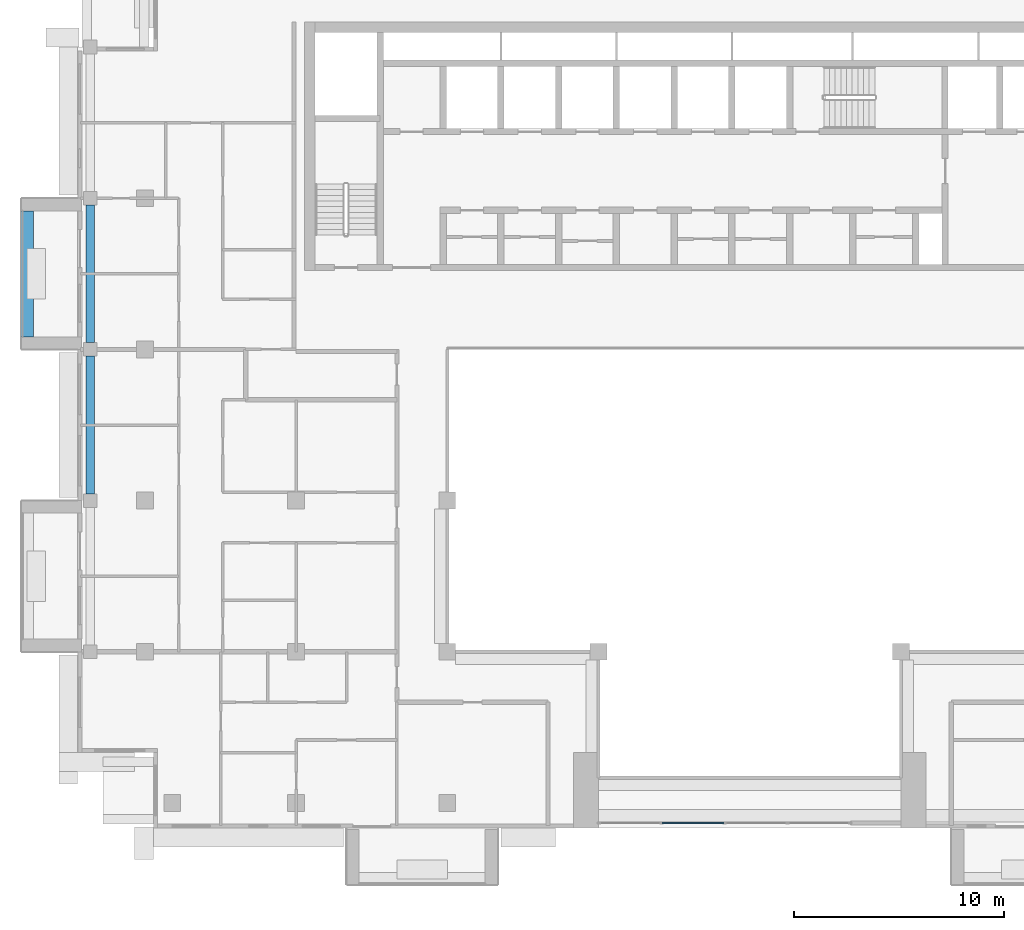
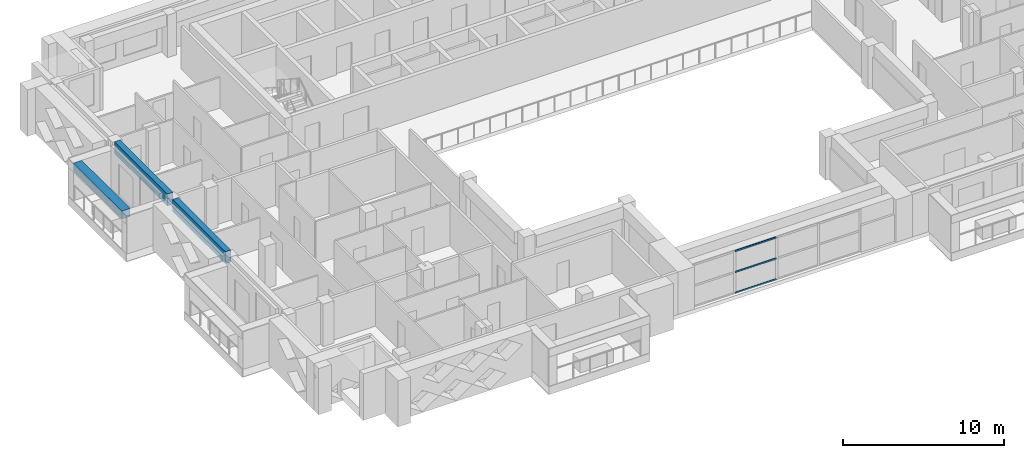
# One storey, part 3 of 19: 3 beams, 3 members, 1 element without a shape of its own.
"""IFC4 building model written with IfcOpenShell, lengths in metres."""

from ifc_helpers import new_model, si_unit, direction, frame, origin, origin_2d, place, context, subcontext, project, spatial, rectangle, extrude, source, transform, mapped, material, layer, layer_set, material_profile, profile_set, type_object, element, aggregate, save


model = new_model("IFC4")

# Units and contexts
model_context = context("Model", 3, precision=1e-05, world=origin(), true_north=direction((0.0, 1.0)))
body_context = subcontext(model_context, "Body", "Model", "MODEL_VIEW")
ifc_project = project(units=[si_unit("LENGTHUNIT", "METRE"), si_unit("AREAUNIT", "SQUARE_METRE"), si_unit("VOLUMEUNIT", "CUBIC_METRE"), si_unit("PLANEANGLEUNIT", "RADIAN"), si_unit("MASSUNIT", "GRAM", prefix="KILO")], contexts=[model_context])

# Site, building, storey
site_placement = place(None, origin())
site = spatial("IfcSite", under=ifc_project, at=site_placement, CompositionType="ELEMENT")
building_placement = place(site_placement, origin())
building = spatial("IfcBuilding", under=site, at=building_placement, Name="Saffron Iwan Residences", CompositionType="ELEMENT")
storey_placement = place(building_placement, frame((0.0, 0.0, 246.5)))
storey = spatial("IfcBuildingStorey", under=building, at=storey_placement, Name="L66", CompositionType="ELEMENT", Elevation=246.5)

# Beams
ifc_material_1 = material(Name="Concrete C40/50", Category="concrete")
ifc_material_profile_1 = material_profile(ifc_material_1, rectangle(XDim=0.39990234375, YDim=0.89990234375, at=origin_2d()), Name="RC 400x900")
ifc_profile_set_1 = profile_set([ifc_material_profile_1], Name="Concrete C40/50")
beam_type_1 = type_object("IfcBeamType", Name="SPANDREL BEAM RC 400x900 C40/50 TOP 3220", PredefinedType="SPANDREL", material=ifc_profile_set_1)
shared_shape_1 = source(origin(), body_context, "Body", "SweptSolid", [
    extrude(rectangle(XDim=0.39990234375, YDim=0.89990234375, at=origin_2d()), origin(), (0.0, 0.0, 1.0), 6.550048828125),
])
beam_1_placement = place(storey_placement, frame((19.0, 55.52490234375, 2.77001953125), z_axis=(0.0, 1.0, 0.0), x_axis=(-1.0, 0.0, 0.0)))
element("IfcBeam", 1, at=beam_1_placement, inside=storey, type_object=beam_type_1, Name="Spandrel beam", PredefinedType="SPANDREL", context=body_context, shape_type="MappedRepresentation", body=[
    mapped(shared_shape_1, transform((0.0, 0.0, 0.0))),
])
shared_shape_2 = source(origin(), body_context, "Body", "SweptSolid", [
    extrude(rectangle(XDim=0.39990234375, YDim=0.89990234375, at=origin_2d()), origin(), (0.0, 0.0, 1.0), 6.5498046875),
])
beam_2_placement = place(storey_placement, frame((19.0, 62.72509765625, 2.77001953125), z_axis=(0.0, 1.0, 0.0), x_axis=(-1.0, 0.0, 0.0)))
element("IfcBeam", 2, at=beam_2_placement, inside=storey, type_object=beam_type_1, Name="Spandrel beam", PredefinedType="SPANDREL", context=body_context, shape_type="MappedRepresentation", body=[
    mapped(shared_shape_2, transform((0.0, 0.0, 0.0))),
])

# Curtain wall, members
ifc_material_2 = material(Name="Clear glass, laminated double glazed", Category="glass")
ifc_layer = layer(ifc_material_2, 0.199951171875)
ifc_layer_set = layer_set([ifc_layer], Name="Clear glass, laminated double glazed")
curtain_wall_type = type_object("IfcCurtainWallType", Name="CW-B IWAN PORTAL", PredefinedType="NOTDEFINED", material=ifc_layer_set)
curtain_wall_placement = place(storey_placement, origin())
curtain_wall = element("IfcCurtainWall", 3, at=curtain_wall_placement, inside=storey, type_object=curtain_wall_type, Name="Iwan portal glazing L66.1", PredefinedType="NOTDEFINED")
ifc_material_3 = material(Name="Aluminium 6063-T6", Category="aluminium")
ifc_material_profile_2 = material_profile(ifc_material_3, rectangle(XDim=0.06005859375, YDim=0.1201171875, at=origin_2d()), Name="CW-B TRANSOM 60 x 120")
ifc_profile_set_2 = profile_set([ifc_material_profile_2], Name="Aluminium 6063-T6")
member_type = type_object("IfcMemberType", Name="CW-B TRANSOM 60 x 120", PredefinedType="USERDEFINED", material=ifc_profile_set_2)
shared_shape_3 = source(origin(), body_context, "Body", "SweptSolid", [
    extrude(rectangle(XDim=0.06005859375, YDim=0.1201171875, at=origin_2d()), origin(), (0.0, 0.0, 1.0), 2.93994140625),
])
member_1_placement = place(storey_placement, frame((46.22998046875, 39.85009765625, 0.030029296875), z_axis=(1.0, 0.0, 0.0), x_axis=(0.0, 1.0, 0.0)))
member_1 = element("IfcMember", 4, at=member_1_placement, type_object=member_type, Name="CW-B transom 2.1", ObjectType="TRANSOM", PredefinedType="USERDEFINED", context=body_context, shape_type="MappedRepresentation", body=[
    mapped(shared_shape_3, transform((0.0, 0.0, 0.0))),
])
member_2_placement = place(storey_placement, frame((46.22998046875, 39.85009765625, 1.610107421875), z_axis=(1.0, 0.0, 0.0), x_axis=(0.0, 1.0, 0.0)))
member_2 = element("IfcMember", 5, at=member_2_placement, type_object=member_type, Name="CW-B transom 2.2", ObjectType="TRANSOM", PredefinedType="USERDEFINED", context=body_context, shape_type="MappedRepresentation", body=[
    mapped(shared_shape_3, transform((0.0, 0.0, 0.0))),
])
member_3_placement = place(storey_placement, frame((46.22998046875, 39.85009765625, 3.18994140625), z_axis=(1.0, 0.0, 0.0), x_axis=(0.0, 1.0, 0.0)))
member_3 = element("IfcMember", 6, at=member_3_placement, type_object=member_type, Name="CW-B transom 2.3", ObjectType="TRANSOM", PredefinedType="USERDEFINED", context=body_context, shape_type="MappedRepresentation", body=[
    mapped(shared_shape_3, transform((0.0, 0.0, 0.0))),
])
aggregate(curtain_wall, [member_1, member_2, member_3])

# Beam
ifc_material_4 = material(Name="Concrete C50/60 white painted", Category="concrete")
ifc_material_profile_3 = material_profile(ifc_material_4, rectangle(XDim=0.60009765625, YDim=0.60009765625, at=origin_2d()), Name="BALCONY FASCIA BEAM 600 x 600")
ifc_profile_set_3 = profile_set([ifc_material_profile_3], Name="Concrete C50/60 white painted")
beam_type_2 = type_object("IfcBeamType", Name="BALCONY FASCIA BEAM 600 x 600", PredefinedType="BEAM", material=ifc_profile_set_3)
shared_shape_4 = source(origin(), body_context, "Body", "SweptSolid", [
    extrude(rectangle(XDim=0.60009765625, YDim=0.60009765625, at=origin_2d()), origin(), (0.0, 0.0, 1.0), 6.0),
])
beam_3_placement = place(storey_placement, frame((16.0, 69.0, 2.550048828125), z_axis=(0.0, -1.0, 0.0), x_axis=(1.0, 0.0, 0.0)))
element("IfcBeam", 7, at=beam_3_placement, inside=storey, type_object=beam_type_2, Name="Balcony fascia beam L66 F8-0", PredefinedType="BEAM", context=body_context, shape_type="MappedRepresentation", body=[
    mapped(shared_shape_4, transform((0.0, 0.0, 0.0))),
])

save(model, "model.ifc")
